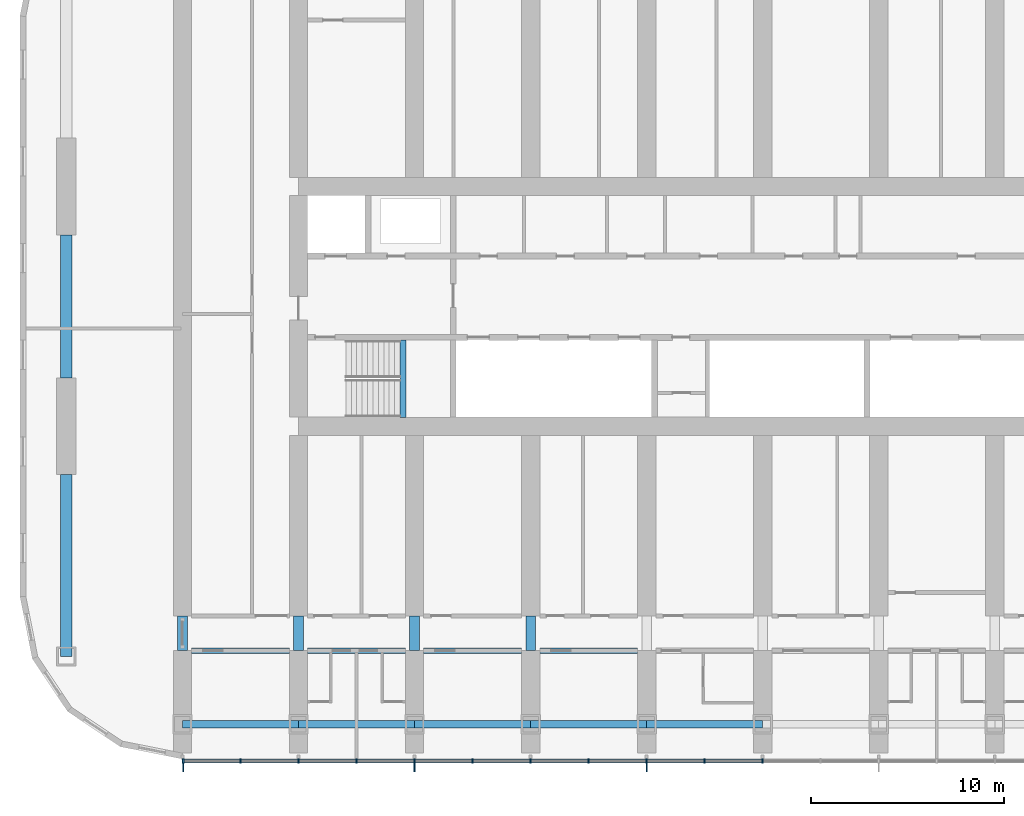
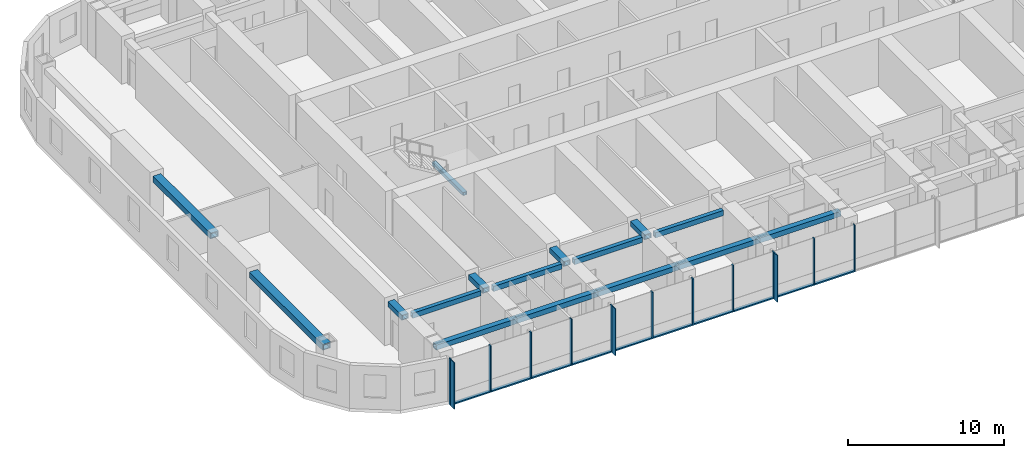
# One storey, part 2 of 20: 24 members, 16 beams, 1 element without a shape of its own.
"""IFC4 building model written with IfcOpenShell, lengths in metres."""

from ifc_helpers import new_model, si_unit, direction, frame, origin, origin_2d, place, context, subcontext, project, spatial, rectangle, hollow_rectangle, extrude, material, material_profile, profile_set, type_object, element, aggregate, save


model = new_model("IFC4")

# Units and contexts
model_context = context("Model", 3, precision=1e-05, world=origin(), true_north=direction((0.0, 1.0)))
body_context = subcontext(model_context, "Body", "Model", "MODEL_VIEW")
ifc_project = project(units=[si_unit("LENGTHUNIT", "METRE"), si_unit("AREAUNIT", "SQUARE_METRE"), si_unit("VOLUMEUNIT", "CUBIC_METRE"), si_unit("PLANEANGLEUNIT", "RADIAN"), si_unit("MASSUNIT", "GRAM", prefix="KILO")], contexts=[model_context])

# Site, building, storey
site_placement = place(None, origin())
site = spatial("IfcSite", under=ifc_project, at=site_placement, CompositionType="ELEMENT")
building_placement = place(site_placement, origin())
building = spatial("IfcBuilding", under=site, at=building_placement, Name="Orbita Commons", CompositionType="ELEMENT")
storey_placement = place(building_placement, frame((0.0, 0.0, 129.39990234375)))
storey = spatial("IfcBuildingStorey", under=building, at=storey_placement, Name="L32", CompositionType="ELEMENT", Elevation=129.39990234375)

# Curtain wall, members
ifc_material_1 = material(Name="Anodised aluminium frame, pale silver", Category="aluminium")
curtain_wall_type = type_object("IfcCurtainWallType", Name="Unitised curtain wall CW-T, vision and spandrel", PredefinedType="NOTDEFINED", material=ifc_material_1)
curtain_wall_placement = place(storey_placement, origin())
curtain_wall = element("IfcCurtainWall", 1, at=curtain_wall_placement, inside=storey, type_object=curtain_wall_type, Name="Curtain wall south L32", PredefinedType="NOTDEFINED")
ifc_material_2 = material(Name="Anodised aluminium, pale silver", Category="aluminium")
ifc_material_profile_1 = material_profile(ifc_material_2, rectangle(XDim=0.080078125, YDim=0.219970703125, at=origin_2d()), Name="AL 80x220")
ifc_profile_set_1 = profile_set([ifc_material_profile_1], Name="Anodised aluminium, pale silver")
member_type_1 = type_object("IfcMemberType", Name="Curtain wall mullion 80x220", PredefinedType="MULLION", material=ifc_profile_set_1)
member_1_placement = place(storey_placement, frame((12.0400390625, 8.489990234375, -0.25), z_axis=(0.0, 0.0, 1.0), x_axis=(1.0, 0.0, 0.0)))
member_1 = element("IfcMember", 2, at=member_1_placement, type_object=member_type_1, Name="Mullion 1 CW-L32-S", PredefinedType="MULLION", context=body_context, shape_type="SweptSolid", body=[
    extrude(rectangle(XDim=0.080078125, YDim=0.219970703125, at=origin_2d()), origin(), (0.0, 0.0, 1.0), 3.650146484375),
])
member_2_placement = place(storey_placement, frame((15.0, 8.489990234375, -0.25), z_axis=(0.0, 0.0, 1.0), x_axis=(1.0, 0.0, 0.0)))
member_2 = element("IfcMember", 3, at=member_2_placement, type_object=member_type_1, Name="Mullion 2 CW-L32-S", PredefinedType="MULLION", context=body_context, shape_type="SweptSolid", body=[
    extrude(rectangle(XDim=0.080078125, YDim=0.219970703125, at=origin_2d()), origin(), (0.0, 0.0, 1.0), 3.650146484375),
])
member_3_placement = place(storey_placement, frame((18.0, 8.489990234375, -0.25), z_axis=(0.0, 0.0, 1.0), x_axis=(1.0, 0.0, 0.0)))
member_3 = element("IfcMember", 4, at=member_3_placement, type_object=member_type_1, Name="Mullion 3 CW-L32-S", PredefinedType="MULLION", context=body_context, shape_type="SweptSolid", body=[
    extrude(rectangle(XDim=0.080078125, YDim=0.219970703125, at=origin_2d()), origin(), (0.0, 0.0, 1.0), 3.650146484375),
])
member_4_placement = place(storey_placement, frame((21.0, 8.489990234375, -0.25), z_axis=(0.0, 0.0, 1.0), x_axis=(1.0, 0.0, 0.0)))
member_4 = element("IfcMember", 5, at=member_4_placement, type_object=member_type_1, Name="Mullion 4 CW-L32-S", PredefinedType="MULLION", context=body_context, shape_type="SweptSolid", body=[
    extrude(rectangle(XDim=0.080078125, YDim=0.219970703125, at=origin_2d()), origin(), (0.0, 0.0, 1.0), 3.650146484375),
])
member_5_placement = place(storey_placement, frame((24.0, 8.489990234375, -0.25), z_axis=(0.0, 0.0, 1.0), x_axis=(1.0, 0.0, 0.0)))
member_5 = element("IfcMember", 6, at=member_5_placement, type_object=member_type_1, Name="Mullion 5 CW-L32-S", PredefinedType="MULLION", context=body_context, shape_type="SweptSolid", body=[
    extrude(rectangle(XDim=0.080078125, YDim=0.219970703125, at=origin_2d()), origin(), (0.0, 0.0, 1.0), 3.650146484375),
])
member_6_placement = place(storey_placement, frame((27.0, 8.489990234375, -0.25), z_axis=(0.0, 0.0, 1.0), x_axis=(1.0, 0.0, 0.0)))
member_6 = element("IfcMember", 7, at=member_6_placement, type_object=member_type_1, Name="Mullion 6 CW-L32-S", PredefinedType="MULLION", context=body_context, shape_type="SweptSolid", body=[
    extrude(rectangle(XDim=0.080078125, YDim=0.219970703125, at=origin_2d()), origin(), (0.0, 0.0, 1.0), 3.650146484375),
])
member_7_placement = place(storey_placement, frame((30.0, 8.489990234375, -0.25), z_axis=(0.0, 0.0, 1.0), x_axis=(1.0, 0.0, 0.0)))
member_7 = element("IfcMember", 8, at=member_7_placement, type_object=member_type_1, Name="Mullion 7 CW-L32-S", PredefinedType="MULLION", context=body_context, shape_type="SweptSolid", body=[
    extrude(rectangle(XDim=0.080078125, YDim=0.219970703125, at=origin_2d()), origin(), (0.0, 0.0, 1.0), 3.650146484375),
])
member_8_placement = place(storey_placement, frame((33.0, 8.489990234375, -0.25), z_axis=(0.0, 0.0, 1.0), x_axis=(1.0, 0.0, 0.0)))
member_8 = element("IfcMember", 9, at=member_8_placement, type_object=member_type_1, Name="Mullion 8 CW-L32-S", PredefinedType="MULLION", context=body_context, shape_type="SweptSolid", body=[
    extrude(rectangle(XDim=0.080078125, YDim=0.219970703125, at=origin_2d()), origin(), (0.0, 0.0, 1.0), 3.650146484375),
])
member_9_placement = place(storey_placement, frame((36.0, 8.489990234375, -0.25), z_axis=(0.0, 0.0, 1.0), x_axis=(1.0, 0.0, 0.0)))
member_9 = element("IfcMember", 10, at=member_9_placement, type_object=member_type_1, Name="Mullion 9 CW-L32-S", PredefinedType="MULLION", context=body_context, shape_type="SweptSolid", body=[
    extrude(rectangle(XDim=0.080078125, YDim=0.219970703125, at=origin_2d()), origin(), (0.0, 0.0, 1.0), 3.650146484375),
])
member_10_placement = place(storey_placement, frame((39.0, 8.489990234375, -0.25), z_axis=(0.0, 0.0, 1.0), x_axis=(1.0, 0.0, 0.0)))
member_10 = element("IfcMember", 11, at=member_10_placement, type_object=member_type_1, Name="Mullion 10 CW-L32-S", PredefinedType="MULLION", context=body_context, shape_type="SweptSolid", body=[
    extrude(rectangle(XDim=0.080078125, YDim=0.219970703125, at=origin_2d()), origin(), (0.0, 0.0, 1.0), 3.650146484375),
])
member_11_placement = place(storey_placement, frame((42.0, 8.489990234375, -0.25), z_axis=(0.0, 0.0, 1.0), x_axis=(1.0, 0.0, 0.0)))
member_11 = element("IfcMember", 12, at=member_11_placement, type_object=member_type_1, Name="Mullion 11 CW-L32-S", PredefinedType="MULLION", context=body_context, shape_type="SweptSolid", body=[
    extrude(rectangle(XDim=0.080078125, YDim=0.219970703125, at=origin_2d()), origin(), (0.0, 0.0, 1.0), 3.650146484375),
])
ifc_material_3 = material(Name="Anodised aluminium, pale silver", Category="aluminium")
ifc_material_profile_2 = material_profile(ifc_material_3, rectangle(XDim=0.219970703125, YDim=0.10009765625, at=origin_2d()), Name="AL 220x100")
ifc_profile_set_2 = profile_set([ifc_material_profile_2], Name="Anodised aluminium, pale silver")
member_type_2 = type_object("IfcMemberType", Name="Curtain wall stack transom 220x100", PredefinedType="USERDEFINED", material=ifc_profile_set_2)
member_12_placement = place(storey_placement, frame((12.080078125, 8.489990234375, -0.199951171875), z_axis=(1.0, 0.0, 0.0), x_axis=(0.0, 1.0, 0.0)))
member_12 = element("IfcMember", 13, at=member_12_placement, type_object=member_type_2, Name="Transom 1.1 CW-L32-S", ObjectType="TRANSOM", PredefinedType="USERDEFINED", context=body_context, shape_type="SweptSolid", body=[
    extrude(rectangle(XDim=0.219970703125, YDim=0.10009765625, at=origin_2d()), origin(), (0.0, 0.0, 1.0), 2.8798828125),
])
member_13_placement = place(storey_placement, frame((15.0400390625, 8.489990234375, -0.199951171875), z_axis=(1.0, 0.0, 0.0), x_axis=(0.0, 1.0, 0.0)))
member_13 = element("IfcMember", 14, at=member_13_placement, type_object=member_type_2, Name="Transom 2.1 CW-L32-S", ObjectType="TRANSOM", PredefinedType="USERDEFINED", context=body_context, shape_type="SweptSolid", body=[
    extrude(rectangle(XDim=0.219970703125, YDim=0.10009765625, at=origin_2d()), origin(), (0.0, 0.0, 1.0), 2.919921875),
])
member_14_placement = place(storey_placement, frame((18.0400390625, 8.489990234375, -0.199951171875), z_axis=(1.0, 0.0, 0.0), x_axis=(0.0, 1.0, 0.0)))
member_14 = element("IfcMember", 15, at=member_14_placement, type_object=member_type_2, Name="Transom 3.1 CW-L32-S", ObjectType="TRANSOM", PredefinedType="USERDEFINED", context=body_context, shape_type="SweptSolid", body=[
    extrude(rectangle(XDim=0.219970703125, YDim=0.10009765625, at=origin_2d()), origin(), (0.0, 0.0, 1.0), 2.919921875),
])
member_15_placement = place(storey_placement, frame((21.0400390625, 8.489990234375, -0.199951171875), z_axis=(1.0, 0.0, 0.0), x_axis=(0.0, 1.0, 0.0)))
member_15 = element("IfcMember", 16, at=member_15_placement, type_object=member_type_2, Name="Transom 4.1 CW-L32-S", ObjectType="TRANSOM", PredefinedType="USERDEFINED", context=body_context, shape_type="SweptSolid", body=[
    extrude(rectangle(XDim=0.219970703125, YDim=0.10009765625, at=origin_2d()), origin(), (0.0, 0.0, 1.0), 2.919921875),
])
member_16_placement = place(storey_placement, frame((24.0400390625, 8.489990234375, -0.199951171875), z_axis=(1.0, 0.0, 0.0), x_axis=(0.0, 1.0, 0.0)))
member_16 = element("IfcMember", 17, at=member_16_placement, type_object=member_type_2, Name="Transom 5.1 CW-L32-S", ObjectType="TRANSOM", PredefinedType="USERDEFINED", context=body_context, shape_type="SweptSolid", body=[
    extrude(rectangle(XDim=0.219970703125, YDim=0.10009765625, at=origin_2d()), origin(), (0.0, 0.0, 1.0), 2.919921875),
])
member_17_placement = place(storey_placement, frame((27.0400390625, 8.489990234375, -0.199951171875), z_axis=(1.0, 0.0, 0.0), x_axis=(0.0, 1.0, 0.0)))
member_17 = element("IfcMember", 18, at=member_17_placement, type_object=member_type_2, Name="Transom 6.1 CW-L32-S", ObjectType="TRANSOM", PredefinedType="USERDEFINED", context=body_context, shape_type="SweptSolid", body=[
    extrude(rectangle(XDim=0.219970703125, YDim=0.10009765625, at=origin_2d()), origin(), (0.0, 0.0, 1.0), 2.919921875),
])
member_18_placement = place(storey_placement, frame((30.0400390625, 8.489990234375, -0.199951171875), z_axis=(1.0, 0.0, 0.0), x_axis=(0.0, 1.0, 0.0)))
member_18 = element("IfcMember", 19, at=member_18_placement, type_object=member_type_2, Name="Transom 7.1 CW-L32-S", ObjectType="TRANSOM", PredefinedType="USERDEFINED", context=body_context, shape_type="SweptSolid", body=[
    extrude(rectangle(XDim=0.219970703125, YDim=0.10009765625, at=origin_2d()), origin(), (0.0, 0.0, 1.0), 2.919921875),
])
member_19_placement = place(storey_placement, frame((33.0400390625, 8.489990234375, -0.199951171875), z_axis=(1.0, 0.0, 0.0), x_axis=(0.0, 1.0, 0.0)))
member_19 = element("IfcMember", 20, at=member_19_placement, type_object=member_type_2, Name="Transom 8.1 CW-L32-S", ObjectType="TRANSOM", PredefinedType="USERDEFINED", context=body_context, shape_type="SweptSolid", body=[
    extrude(rectangle(XDim=0.219970703125, YDim=0.10009765625, at=origin_2d()), origin(), (0.0, 0.0, 1.0), 2.919921875),
])
member_20_placement = place(storey_placement, frame((36.0400390625, 8.489990234375, -0.199951171875), z_axis=(1.0, 0.0, 0.0), x_axis=(0.0, 1.0, 0.0)))
member_20 = element("IfcMember", 21, at=member_20_placement, type_object=member_type_2, Name="Transom 9.1 CW-L32-S", ObjectType="TRANSOM", PredefinedType="USERDEFINED", context=body_context, shape_type="SweptSolid", body=[
    extrude(rectangle(XDim=0.219970703125, YDim=0.10009765625, at=origin_2d()), origin(), (0.0, 0.0, 1.0), 2.919921875),
])
member_21_placement = place(storey_placement, frame((39.0400390625, 8.489990234375, -0.199951171875), z_axis=(1.0, 0.0, 0.0), x_axis=(0.0, 1.0, 0.0)))
member_21 = element("IfcMember", 22, at=member_21_placement, type_object=member_type_2, Name="Transom 10.1 CW-L32-S", ObjectType="TRANSOM", PredefinedType="USERDEFINED", context=body_context, shape_type="SweptSolid", body=[
    extrude(rectangle(XDim=0.219970703125, YDim=0.10009765625, at=origin_2d()), origin(), (0.0, 0.0, 1.0), 2.919921875),
])

# Beams
ifc_material_4 = material(Name="Steel ASTM A572 Gr 50 welded plate", Category="steel")
ifc_material_profile_3 = material_profile(ifc_material_4, hollow_rectangle(XDim=0.300048828125, YDim=0.25, WallThickness=0.02490234375, at=origin_2d()), Name="BOX 250x300x25")
ifc_profile_set_3 = profile_set([ifc_material_profile_3], Name="Steel ASTM A572 Gr 50 welded plate")
beam_type_1 = type_object("IfcBeamType", Name="Stair landing beam steel BOX 250x300x25", PredefinedType="BEAM", material=ifc_profile_set_3)
beam_1_placement = place(storey_placement, frame((23.39990234375, 26.260009765625, 1.550048828125), z_axis=(0.0, 1.0, 0.0), x_axis=(-1.0, 0.0, 0.0)))
element("IfcBeam", 23, at=beam_1_placement, inside=storey, type_object=beam_type_1, Name="Stair S1 landing beam L32 1", PredefinedType="BEAM", context=body_context, shape_type="SweptSolid", body=[
    extrude(hollow_rectangle(XDim=0.300048828125, YDim=0.25, WallThickness=0.02490234375, at=origin_2d()), origin(), (0.0, 0.0, 1.0), 4.0048828125),
])
ifc_material_5 = material(Name="Steel ASTM A572 Gr 50 welded plate", Category="steel")
ifc_material_profile_4 = material_profile(ifc_material_5, hollow_rectangle(XDim=0.300048828125, YDim=0.39990234375, WallThickness=0.0400390625, at=origin_2d()), Name="BOX 400x300x40")
ifc_profile_set_4 = profile_set([ifc_material_profile_4], Name="Steel ASTM A572 Gr 50 welded plate")
beam_type_2 = type_object("IfcBeamType", Name="Steel corridor link BOX 400x300x40", PredefinedType="BEAM", material=ifc_profile_set_4)
for number, where, z_axis, x_axis, name in (
    (24, (12.47509765625, 14.199951171875, 3.2001953125), (1.0, 0.0, 0.0), (0.0, 1.0, 0.0), "Corridor beam SA 3-4 L32"),
    (25, (18.47509765625, 14.199951171875, 3.2001953125), (1.0, 0.0, 0.0), (0.0, 1.0, 0.0), "Corridor beam SA 4-5 L32"),
    (26, (24.47509765625, 14.199951171875, 3.2001953125), (1.0, 0.0, 0.0), (0.0, 1.0, 0.0), "Corridor beam SA 5-6 L32"),
    (27, (30.47509765625, 14.199951171875, 3.2001953125), (1.0, 0.0, 0.0), (0.0, 1.0, 0.0), "Corridor beam SA 6-7 L32"),
):
    element("IfcBeam", number, at=place(storey_placement, frame(where, z_axis=z_axis, x_axis=x_axis)), inside=storey, type_object=beam_type_2, Name=name, PredefinedType="BEAM", context=body_context, shape_type="SweptSolid", body=[
        extrude(hollow_rectangle(XDim=0.300048828125, YDim=0.39990234375, WallThickness=0.0400390625, at=origin_2d()), origin(), (0.0, 0.0, 1.0), 5.0498046875),
    ])
ifc_material_6 = material(Name="Steel ASTM A572 Gr 50 welded plate", Category="steel")
ifc_material_profile_5 = material_profile(ifc_material_6, hollow_rectangle(XDim=0.5, YDim=0.39990234375, WallThickness=0.050048828125, at=origin_2d()), Name="BOX 400x500x50")
ifc_profile_set_5 = profile_set([ifc_material_profile_5], Name="Steel ASTM A572 Gr 50 welded plate")
beam_type_3 = type_object("IfcBeamType", Name="Steel coupling link BOX 400x500x50", PredefinedType="LINTEL", material=ifc_profile_set_5)
for number, where, z_axis, x_axis, name in (
    (28, (12.0, 14.199951171875, 3.2001953125), (0.0, 1.0, 0.0), (-1.0, 0.0, 0.0), "Coupling beam 3 south L32"),
    (29, (18.0, 14.199951171875, 3.2001953125), (0.0, 1.0, 0.0), (-1.0, 0.0, 0.0), "Coupling beam 4 south L32"),
    (30, (24.0, 14.199951171875, 3.2001953125), (0.0, 1.0, 0.0), (-1.0, 0.0, 0.0), "Coupling beam 5 south L32"),
    (31, (30.0, 14.199951171875, 3.2001953125), (0.0, 1.0, 0.0), (-1.0, 0.0, 0.0), "Coupling beam 6 south L32"),
):
    element("IfcBeam", number, at=place(storey_placement, frame(where, z_axis=z_axis, x_axis=x_axis)), inside=storey, type_object=beam_type_3, Name=name, PredefinedType="LINTEL", context=body_context, shape_type="SweptSolid", body=[
        extrude(hollow_rectangle(XDim=0.5, YDim=0.39990234375, WallThickness=0.050048828125, at=origin_2d()), origin(), (0.0, 0.0, 1.0), 1.800048828125),
    ])
ifc_material_7 = material(Name="Steel ASTM A572 Gr 50 welded plate", Category="steel")
ifc_material_profile_6 = material_profile(ifc_material_7, hollow_rectangle(XDim=0.60009765625, YDim=0.449951171875, WallThickness=0.06005859375, at=origin_2d()), Name="BOX 450x600x60")
ifc_profile_set_6 = profile_set([ifc_material_profile_6], Name="Steel ASTM A572 Gr 50 welded plate")
beam_type_4 = type_object("IfcBeamType", Name="Steel end frame link BOX 450x600x60", PredefinedType="BEAM", material=ifc_profile_set_6)
beam_2_placement = place(storey_placement, frame((6.0, 13.89990234375, 3.175048828125), z_axis=(0.0, 1.0, 0.0), x_axis=(-1.0, 0.0, 0.0)))
element("IfcBeam", 32, at=beam_2_placement, inside=storey, type_object=beam_type_4, Name="End frame beam 2 B-C L32", PredefinedType="BEAM", context=body_context, shape_type="SweptSolid", body=[
    extrude(hollow_rectangle(XDim=0.60009765625, YDim=0.449951171875, WallThickness=0.06005859375, at=origin_2d()), origin(), (0.0, 0.0, 1.0), 9.400146484375),
])
beam_3_placement = place(storey_placement, frame((6.0, 28.300048828125, 3.175048828125), z_axis=(0.0, 1.0, 0.0), x_axis=(-1.0, 0.0, 0.0)))
element("IfcBeam", 33, at=beam_3_placement, inside=storey, type_object=beam_type_4, Name="End frame beam 2 C-D L32", PredefinedType="BEAM", context=body_context, shape_type="SweptSolid", body=[
    extrude(hollow_rectangle(XDim=0.60009765625, YDim=0.449951171875, WallThickness=0.06005859375, at=origin_2d()), origin(), (0.0, 0.0, 1.0), 7.39990234375),
])
ifc_material_8 = material(Name="Steel ASTM A572 Gr 50 welded plate", Category="steel")
ifc_material_profile_7 = material_profile(ifc_material_8, hollow_rectangle(XDim=0.39990234375, YDim=0.39990234375, WallThickness=0.0400390625, at=origin_2d()), Name="BOX 400x400x40")
ifc_profile_set_7 = profile_set([ifc_material_profile_7], Name="Steel ASTM A572 Gr 50 welded plate")
beam_type_5 = type_object("IfcBeamType", Name="Steel spandrel BOX 400x400x40", PredefinedType="SPANDREL", material=ifc_profile_set_7)
for number, where, z_axis, x_axis, name in (
    (34, (12.0, 10.39990234375, 3.2001953125), (1.0, 0.0, 0.0), (0.0, 1.0, 0.0), "Spandrel beam B 3-4 L32"),
    (35, (18.0, 10.39990234375, 3.2001953125), (1.0, 0.0, 0.0), (0.0, 1.0, 0.0), "Spandrel beam B 4-5 L32"),
    (36, (24.0, 10.39990234375, 3.2001953125), (1.0, 0.0, 0.0), (0.0, 1.0, 0.0), "Spandrel beam B 5-6 L32"),
    (37, (30.0, 10.39990234375, 3.2001953125), (1.0, 0.0, 0.0), (0.0, 1.0, 0.0), "Spandrel beam B 6-7 L32"),
    (38, (36.0, 10.39990234375, 3.2001953125), (1.0, 0.0, 0.0), (0.0, 1.0, 0.0), "Spandrel beam B 7-8 L32"),
):
    element("IfcBeam", number, at=place(storey_placement, frame(where, z_axis=z_axis, x_axis=x_axis)), inside=storey, type_object=beam_type_5, Name=name, PredefinedType="SPANDREL", context=body_context, shape_type="SweptSolid", body=[
        extrude(hollow_rectangle(XDim=0.39990234375, YDim=0.39990234375, WallThickness=0.0400390625, at=origin_2d()), origin(), (0.0, 0.0, 1.0), 6.0),
    ])

# Member
ifc_material_9 = material(Name="Anodised aluminium, pale silver", Category="aluminium")
ifc_material_profile_8 = material_profile(ifc_material_9, rectangle(XDim=0.06005859375, YDim=0.449951171875, at=origin_2d()), Name="FIN 60x450")
ifc_profile_set_8 = profile_set([ifc_material_profile_8], Name="Anodised aluminium, pale silver")
member_type_3 = type_object("IfcMemberType", Name="Vertical fin 60x450 pale aluminium", PredefinedType="USERDEFINED", material=ifc_profile_set_8)
member_22_placement = place(storey_placement, frame((12.0400390625, 8.155029296875, -0.25), z_axis=(0.0, 0.0, 1.0), x_axis=(1.0, 0.0, 0.0)))
member_22 = element("IfcMember", 39, at=member_22_placement, type_object=member_type_3, Name="Fin 1 CW-L32-S", ObjectType="FIN", PredefinedType="USERDEFINED", context=body_context, shape_type="SweptSolid", body=[
    extrude(rectangle(XDim=0.06005859375, YDim=0.449951171875, at=origin_2d()), origin(), (0.0, 0.0, 1.0), 3.650146484375),
])

member_23_placement = place(storey_placement, frame((24.0, 8.155029296875, -0.25), z_axis=(0.0, 0.0, 1.0), x_axis=(1.0, 0.0, 0.0)))
member_23 = element("IfcMember", 40, at=member_23_placement, type_object=member_type_3, Name="Fin 5 CW-L32-S", ObjectType="FIN", PredefinedType="USERDEFINED", context=body_context, shape_type="SweptSolid", body=[
    extrude(rectangle(XDim=0.06005859375, YDim=0.449951171875, at=origin_2d()), origin(), (0.0, 0.0, 1.0), 3.650146484375),
])

member_24_placement = place(storey_placement, frame((36.0, 8.155029296875, -0.25), z_axis=(0.0, 0.0, 1.0), x_axis=(1.0, 0.0, 0.0)))
member_24 = element("IfcMember", 41, at=member_24_placement, type_object=member_type_3, Name="Fin 9 CW-L32-S", ObjectType="FIN", PredefinedType="USERDEFINED", context=body_context, shape_type="SweptSolid", body=[
    extrude(rectangle(XDim=0.06005859375, YDim=0.449951171875, at=origin_2d()), origin(), (0.0, 0.0, 1.0), 3.650146484375),
])

aggregate(curtain_wall, [member_1, member_22, member_2, member_3, member_4, member_5, member_23, member_6, member_7, member_8, member_9, member_24, member_10, member_11, member_12, member_13, member_14, member_15, member_16, member_17, member_18, member_19, member_20, member_21])

save(model, "model.ifc")
